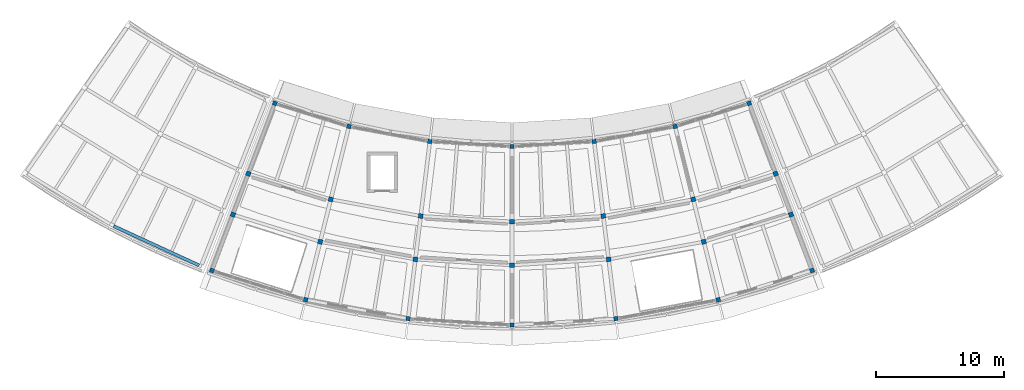
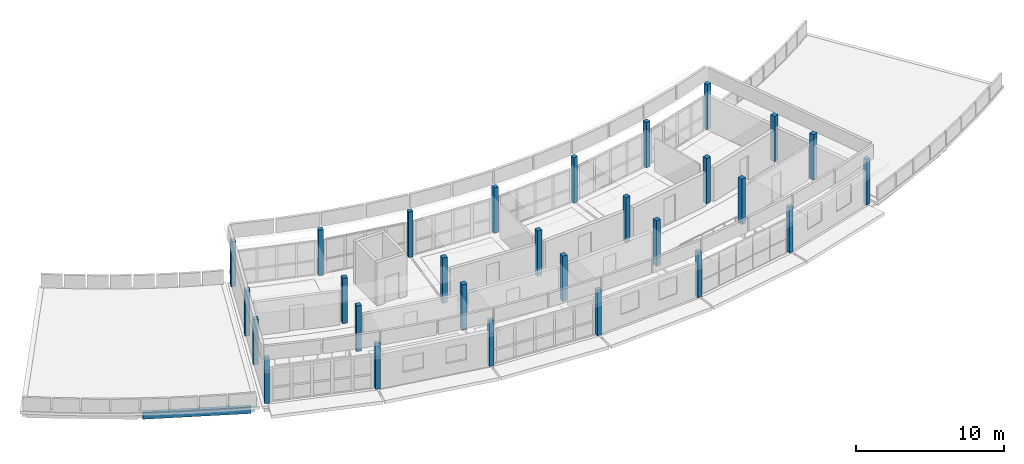
# One storey, part 1 of 12: 28 columns, 1 beam.
"""IFC4 building model written with IfcOpenShell, lengths in metres."""

import ifcopenshell
import ifcopenshell.guid

model = None  # the IFC model being written
_history = None  # IfcOwnerHistory: only IFC2X3 demands one
_inside = {}  # id of a spatial element -> (the spatial element, [elements in it])
_under = {}  # id of a project, library or spatial element -> (it, [spatial elements below it])
_declared = {}  # id of a project -> (the project, [libraries it declares])
_typed = {}  # id of a type object -> (the type object, [elements of that type])
_made_of = {}  # id of a material, layer set ... -> (it, [elements and type objects made of it])


def new_model(schema):
    """Start an empty IFC model of exactly this schema.

    Asked for "IFC4X3", IfcOpenShell would pick the latest addendum, in which some entities
    have other attributes; the version numbers below select the first issue.
    IFC2X3 requires an IfcOwnerHistory on every rooted entity: one is made here for all.
    """
    global model, _history
    if schema == "IFC4X3":
        model = ifcopenshell.file(schema_version=(4, 3, 0, 0))
    else:
        model = ifcopenshell.file(schema=schema)
    _inside.clear()
    _under.clear()
    _declared.clear()
    _typed.clear()
    _made_of.clear()
    _history = None
    if model.schema == "IFC2X3":
        org = make("IfcOrganization", Name="unknown")
        user = make(
            "IfcPersonAndOrganization",
            ThePerson=make("IfcPerson", FamilyName="unknown"),
            TheOrganization=org,
        )
        app = make(
            "IfcApplication",
            ApplicationDeveloper=org,
            Version="unknown",
            ApplicationFullName="unknown",
            ApplicationIdentifier="unknown",
        )
        _history = make(
            "IfcOwnerHistory",
            OwningUser=user,
            OwningApplication=app,
            ChangeAction="ADDED",
            CreationDate=0,
        )
    return model


def make(cls, **values):
    """One entity of the class cls with the attributes given. An attribute that is None is left unset."""
    return model.create_entity(
        cls, **{name: value for name, value in values.items() if value is not None}
    )


def rooted(cls, **values):
    """An entity with a GlobalId (a new one), such as an element, a storey or a relation."""
    return make(cls, GlobalId=ifcopenshell.guid.new(), OwnerHistory=_history, **values)


def si_unit(unit_type, name, prefix=None):
    """IfcSIUnit, for example si_unit("LENGTHUNIT", "METRE", prefix="MILLI")."""
    return make("IfcSIUnit", UnitType=unit_type, Prefix=prefix, Name=name)


def assignment(units):
    """IfcUnitAssignment: the units of a project."""
    return None if units is None else make("IfcUnitAssignment", Units=units)


def point(xyz):
    """IfcCartesianPoint."""
    return None if xyz is None else make("IfcCartesianPoint", Coordinates=xyz)


def direction(xyz):
    """IfcDirection."""
    return None if xyz is None else make("IfcDirection", DirectionRatios=xyz)


def frame(location, z_axis=None, x_axis=None):
    """IfcAxis2Placement3D, a coordinate frame: its origin and axes. An axis left out is left unset."""
    return make(
        "IfcAxis2Placement3D",
        Location=point(location),
        Axis=direction(z_axis),
        RefDirection=direction(x_axis),
    )


def frame_2d(location, x_axis=None):
    """IfcAxis2Placement2D, a coordinate frame in the plane: its origin and x axis."""
    return make(
        "IfcAxis2Placement2D", Location=point(location), RefDirection=direction(x_axis)
    )


def origin():
    """The frame at (0, 0, 0) with its axes left unset."""
    return frame((0.0, 0.0, 0.0))


def origin_2d():
    """The frame at (0, 0) in the plane with its x axis left unset."""
    return frame_2d((0.0, 0.0))


def place(relative_to, where):
    """IfcLocalPlacement: puts the frame where relative to a parent placement (None: the world)."""
    return make(
        "IfcLocalPlacement", PlacementRelTo=relative_to, RelativePlacement=where
    )


def context(
    kind, dimensions, precision=None, world=None, true_north=None, identifier=None
):
    """IfcGeometricRepresentationContext, for example the 3D "Model" context."""
    return make(
        "IfcGeometricRepresentationContext",
        ContextIdentifier=identifier,
        ContextType=kind,
        CoordinateSpaceDimension=dimensions,
        Precision=precision,
        WorldCoordinateSystem=world,
        TrueNorth=true_north,
    )


def subcontext(parent, identifier, kind, view, scale=None):
    """IfcGeometricRepresentationSubContext, for example "Body" below "Model"."""
    return make(
        "IfcGeometricRepresentationSubContext",
        ContextIdentifier=identifier,
        ContextType=kind,
        ParentContext=parent,
        TargetScale=scale,
        TargetView=view,
    )


def project(units=None, contexts=None):
    """IfcProject with its units and contexts."""
    return rooted(
        "IfcProject",
        Name="project",
        RepresentationContexts=contexts,
        UnitsInContext=assignment(units),
    )


def spatial(cls, under=None, at=None, **own):
    """A site, building, storey or space (cls), placed at a placement, below another one or the project."""
    s = rooted(cls, ObjectPlacement=at, **own)
    if under is not None:
        _under.setdefault(under.id(), (under, []))[1].append(s)
    return s


def profile(cls, at=None, kind="AREA", **sizes):
    """A parametric profile (cls). Its sizes go by their IFC names, for example OverallWidth=200.0."""
    return make(cls, ProfileType=kind, Position=at, **sizes)


def rectangle(**sizes):
    """IfcRectangleProfileDef."""
    return profile("IfcRectangleProfileDef", **sizes)


def extrude(swept, where, along, depth):
    """IfcExtrudedAreaSolid: the profile swept, set in the frame where, extruded along a direction by depth."""
    return make(
        "IfcExtrudedAreaSolid",
        SweptArea=swept,
        Position=where,
        ExtrudedDirection=direction(along),
        Depth=depth,
    )


def shape(context_of_items, identifier, shape_type, items):
    """IfcShapeRepresentation: the items that make up one representation, for example the "Body"."""
    return make(
        "IfcShapeRepresentation",
        ContextOfItems=context_of_items,
        RepresentationIdentifier=identifier,
        RepresentationType=shape_type,
        Items=items,
    )


def material(Name=None, Category=None):
    """IfcMaterial."""
    return make("IfcMaterial", Name=Name, Category=Category)


def material_profile(
    of_material, cross_section, Name=None, Category=None, Priority=None
):
    """IfcMaterialProfile: a cross section and its material."""
    return make(
        "IfcMaterialProfile",
        Name=Name,
        Material=of_material,
        Profile=cross_section,
        Priority=Priority,
        Category=Category,
    )


def profile_set(profiles, Name=None, composite=None):
    """IfcMaterialProfileSet."""
    return make(
        "IfcMaterialProfileSet",
        Name=Name,
        MaterialProfiles=profiles,
        CompositeProfile=composite,
    )


def made_of(thing, what):
    """Note that an element or type object is made of a material, layer set ...; save() writes the relation."""
    if what is not None:
        _made_of.setdefault(what.id(), (what, []))[1].append(thing)
    return thing


def type_object(cls, material=None, **own):
    """A type object (cls), such as IfcWallType, which elements share."""
    return made_of(rooted(cls, **own), material)


def element(
    cls,
    number,
    at=None,
    inside=None,
    cuts=None,
    type_object=None,
    material=None,
    context=None,
    identifier="Body",
    shape_type=None,
    held_by="IfcProductDefinitionShape",
    body=None,
    shapes=None,
    **own,
):
    """One element of the class cls, such as IfcWall. Its Tag is "e" and its number.

    at: its placement. inside: the storey or other place that contains it. cuts: it is an
    opening in that element (IfcRelVoidsElement). A single representation is given by context,
    identifier, shape_type and body (its items); several are given by shapes. held_by: the class
    of the entity that holds the representations. save() writes the other relations.
    """
    e = rooted(cls, Tag="e%d" % number, ObjectPlacement=at, **own)
    if body is not None:
        shapes = [shape(context, identifier, shape_type, body)]
    if shapes is not None:
        e.Representation = make(held_by, Representations=shapes)
    if inside is not None:
        _inside.setdefault(inside.id(), (inside, []))[1].append(e)
    if cuts is not None:
        rooted(
            "IfcRelVoidsElement", RelatingBuildingElement=cuts, RelatedOpeningElement=e
        )
    if type_object is not None:
        _typed.setdefault(type_object.id(), (type_object, []))[1].append(e)
    return made_of(e, material)


def aggregate(whole, parts):
    """IfcRelAggregates: a whole, such as a stair, and the parts it consists of."""
    return rooted("IfcRelAggregates", RelatingObject=whole, RelatedObjects=parts)


def save(model, path):
    """Write the relations noted so far, then the file.

    IfcRelAggregates (storeys below a building ...), IfcRelContainedInSpatialStructure (elements
    in a storey), IfcRelDefinesByType, IfcRelAssociatesMaterial and IfcRelDeclares: one each for
    every whole, place, type object, material and project.
    """
    for whole, parts in _under.values():
        aggregate(whole, parts)
    for where, things in _inside.values():
        rooted(
            "IfcRelContainedInSpatialStructure",
            RelatedElements=things,
            RelatingStructure=where,
        )
    for kind, things in _typed.values():
        rooted("IfcRelDefinesByType", RelatedObjects=things, RelatingType=kind)
    for what, things in _made_of.values():
        rooted("IfcRelAssociatesMaterial", RelatedObjects=things, RelatingMaterial=what)
    for by, libraries in _declared.values():
        rooted("IfcRelDeclares", RelatingContext=by, RelatedDefinitions=libraries)
    model.write(path)


model = new_model("IFC4")

# Units and contexts
model_context = context("Model", 3, precision=1e-05, world=origin(), true_north=direction((0.0, 1.0)))
body_context = subcontext(model_context, "Body", "Model", "MODEL_VIEW")
ifc_project = project(units=[si_unit("LENGTHUNIT", "METRE"), si_unit("AREAUNIT", "SQUARE_METRE"), si_unit("VOLUMEUNIT", "CUBIC_METRE"), si_unit("PLANEANGLEUNIT", "RADIAN"), si_unit("MASSUNIT", "GRAM", prefix="KILO")], contexts=[model_context])

# Site, building, storey
site_placement = place(None, origin())
site = spatial("IfcSite", under=ifc_project, at=site_placement, CompositionType="ELEMENT")
building_placement = place(site_placement, origin())
building = spatial("IfcBuilding", under=site, at=building_placement, Name="Caldaven Crescent School", CompositionType="ELEMENT")
storey_placement = place(building_placement, frame((0.0, 0.0, 19.3798828125)))
storey = spatial("IfcBuildingStorey", under=building, at=storey_placement, Name="L05", CompositionType="ELEMENT", Elevation=19.3798828125)

# Columns
ifc_material = material(Name="Glulam MLE24h (GL28h)", Category="wood")
ifc_material_profile_1 = material_profile(ifc_material, rectangle(XDim=0.330078125, YDim=0.330078125, at=origin_2d()), Name="MLE 330x330")
ifc_profile_set_1 = profile_set([ifc_material_profile_1], Name="Glulam MLE24h (GL28h)")
column_type_1 = type_object("IfcColumnType", Name="COL-GL33", PredefinedType="COLUMN", material=ifc_profile_set_1)
for number, where, z_axis, x_axis, name in (
    (1, (69.541259765625, 46.905517578125, 0.0), (0.0, 0.0, 1.0), (-0.352005016254, -0.93599811353, 0.0), "COL-V5-L05-00-0"),
    (2, (64.6494140625, 33.894775390625, 0.0), (0.0, 0.0, 1.0), (-0.352005016254, -0.93599811353, 0.0), "COL-V5-L05-00-3"),
    (3, (75.311279296875, 45.10791015625, 0.0), (0.0, 0.0, 1.0), (-0.2419218956, -0.970295726276, 0.0), "COL-V5-L05-01-0"),
    (4, (71.948486328125, 31.620849609375, 0.0), (0.0, 0.0, 1.0), (-0.2419218956, -0.970295726276, 0.0), "COL-V5-L05-01-3"),
    (5, (81.60791015625, 43.94091796875, 0.0), (0.0, 0.0, 1.0), (-0.121869343405, -0.992546151641, 0.0), "COL-V5-L05-02-0"),
    (6, (79.9140625, 30.14453125, 0.0), (0.0, 0.0, 1.0), (-0.121869343405, -0.992546151641, 0.0), "COL-V5-L05-02-3"),
    (7, (88.0, 43.550048828125, 0.0), (0.0, 0.0, 1.0), (0.0, -1.0, 0.0), "COL-V5-L05-03-0"),
    (8, (88.0, 29.64990234375, 0.0), (0.0, 0.0, 1.0), (0.0, -1.0, 0.0), "COL-V5-L05-03-3"),
    (9, (94.39208984375, 43.94091796875, 0.0), (0.0, 0.0, 1.0), (0.121869343405, -0.992546151641, 0.0), "COL-V5-L05-04-0"),
    (10, (96.0859375, 30.14453125, 0.0), (0.0, 0.0, 1.0), (0.121869343405, -0.992546151641, 0.0), "COL-V5-L05-04-3"),
    (11, (100.688720703125, 45.10791015625, 0.0), (0.0, 0.0, 1.0), (0.2419218956, -0.970295726276, 0.0), "COL-V5-L05-05-0"),
    (12, (104.051513671875, 31.620849609375, 0.0), (0.0, 0.0, 1.0), (0.2419218956, -0.970295726276, 0.0), "COL-V5-L05-05-3"),
    (13, (106.458740234375, 46.905517578125, 0.0), (0.0, 0.0, 1.0), (0.352005016254, -0.93599811353, 0.0), "COL-V5-L05-06-0"),
    (14, (111.3505859375, 33.894775390625, 0.0), (0.0, 0.0, 1.0), (0.352005016254, -0.93599811353, 0.0), "COL-V5-L05-06-3"),
):
    element("IfcColumn", number, at=place(storey_placement, frame(where, z_axis=z_axis, x_axis=x_axis)), inside=storey, type_object=column_type_1, Name=name, PredefinedType="COLUMN", context=body_context, shape_type="SweptSolid", body=[
        extrude(rectangle(XDim=0.330078125, YDim=0.330078125, at=origin_2d()), origin(), (0.0, 0.0, 1.0), 3.740234375),
    ])
ifc_material_profile_2 = material_profile(ifc_material, rectangle(XDim=0.360107421875, YDim=0.360107421875, at=origin_2d()), Name="MLE 360x360")
ifc_profile_set_2 = profile_set([ifc_material_profile_2], Name="Glulam MLE24h (GL28h)")
column_type_2 = type_object("IfcColumnType", Name="COL-GL36", PredefinedType="COLUMN", material=ifc_profile_set_2)
for number, where, z_axis, x_axis, name in (
    (15, (67.482421875, 41.4296875, 0.0), (0.0, 0.0, 1.0), (-0.352005016254, -0.93599811353, 0.0), "COL-V5-L05-00-1"),
    (16, (66.285888671875, 38.247314453125, 0.0), (0.0, 0.0, 1.0), (-0.352005016254, -0.93599811353, 0.0), "COL-V5-L05-00-2"),
    (17, (73.89599609375, 39.431640625, 0.0), (0.0, 0.0, 1.0), (-0.2419218956, -0.970295726276, 0.0), "COL-V5-L05-01-1"),
    (18, (73.073486328125, 36.1328125, 0.0), (0.0, 0.0, 1.0), (-0.2419218956, -0.970295726276, 0.0), "COL-V5-L05-01-2"),
    (19, (80.89501953125, 38.134521484375, 0.0), (0.0, 0.0, 1.0), (-0.121869343405, -0.992546151641, 0.0), "COL-V5-L05-02-1"),
    (20, (80.480712890625, 34.760009765625, 0.0), (0.0, 0.0, 1.0), (-0.121869343405, -0.992546151641, 0.0), "COL-V5-L05-02-2"),
    (21, (88.0, 37.699951171875, 0.0), (0.0, 0.0, 1.0), (0.0, -1.0, 0.0), "COL-V5-L05-03-1"),
    (22, (88.0, 34.300048828125, 0.0), (0.0, 0.0, 1.0), (0.0, -1.0, 0.0), "COL-V5-L05-03-2"),
    (23, (95.10498046875, 38.134521484375, 0.0), (0.0, 0.0, 1.0), (0.121869343405, -0.992546151641, 0.0), "COL-V5-L05-04-1"),
    (24, (95.519287109375, 34.760009765625, 0.0), (0.0, 0.0, 1.0), (0.121869343405, -0.992546151641, 0.0), "COL-V5-L05-04-2"),
    (25, (102.10400390625, 39.431640625, 0.0), (0.0, 0.0, 1.0), (0.2419218956, -0.970295726276, 0.0), "COL-V5-L05-05-1"),
    (26, (102.926513671875, 36.1328125, 0.0), (0.0, 0.0, 1.0), (0.2419218956, -0.970295726276, 0.0), "COL-V5-L05-05-2"),
    (27, (108.517578125, 41.4296875, 0.0), (0.0, 0.0, 1.0), (0.352005016254, -0.93599811353, 0.0), "COL-V5-L05-06-1"),
    (28, (109.714111328125, 38.247314453125, 0.0), (0.0, 0.0, 1.0), (0.352005016254, -0.93599811353, 0.0), "COL-V5-L05-06-2"),
):
    element("IfcColumn", number, at=place(storey_placement, frame(where, z_axis=z_axis, x_axis=x_axis)), inside=storey, type_object=column_type_2, Name=name, PredefinedType="COLUMN", context=body_context, shape_type="SweptSolid", body=[
        extrude(rectangle(XDim=0.360107421875, YDim=0.360107421875, at=origin_2d()), origin(), (0.0, 0.0, 1.0), 3.740234375),
    ])

# Beam
ifc_material_profile_3 = material_profile(ifc_material, rectangle(XDim=0.239990234375, YDim=0.5400390625, at=origin_2d()), Name="MLE 240x540")
ifc_profile_set_3 = profile_set([ifc_material_profile_3], Name="Glulam MLE24h (GL28h)")
beam_type = type_object("IfcBeamType", Name="SP-GL54", PredefinedType="SPANDREL", material=ifc_profile_set_3)
beam_placement = place(storey_placement, frame((56.995849609375, 37.349609375, -0.47998046875), z_axis=(0.908530182148, -0.417819229004, 0.0), x_axis=(0.417819229004, 0.908530182148, 0.0)))
element("IfcBeam", 29, at=beam_placement, inside=storey, type_object=beam_type, Name="BMT-V4W-L05-1678", PredefinedType="SPANDREL", context=body_context, shape_type="SweptSolid", body=[
    extrude(rectangle(XDim=0.239990234375, YDim=0.5400390625, at=origin_2d()), origin(), (0.0, 0.0, 1.0), 7.324951171875),
])

save(model, "model.ifc")
